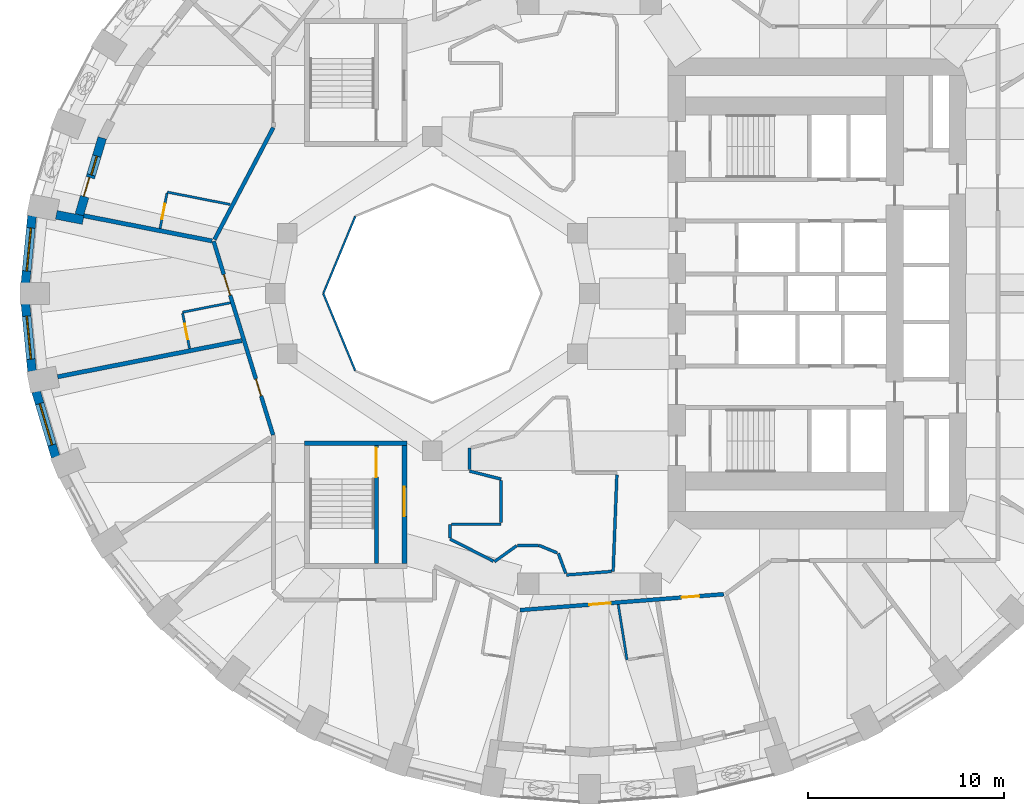
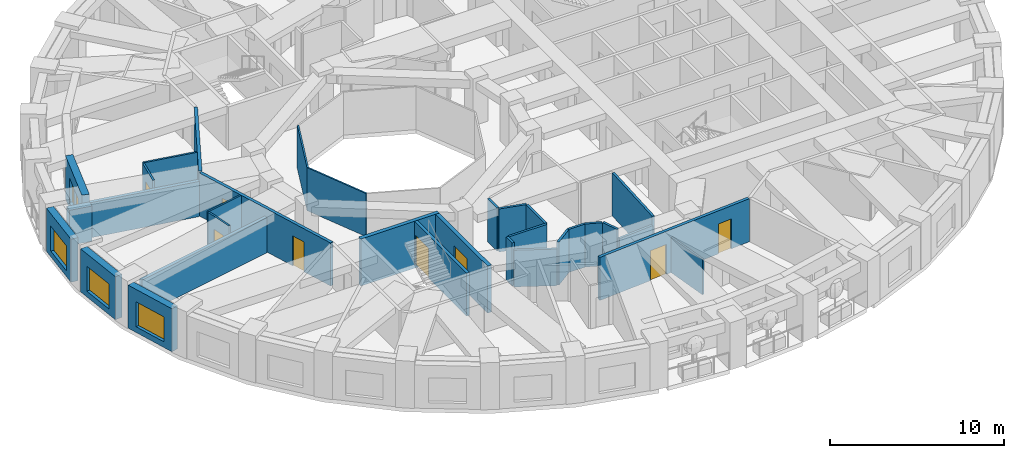
# One storey, part 4 of 13: 32 walls, 9 doors, 4 windows, 13 openings.
"""IFC4 building model written with IfcOpenShell, lengths in metres."""

from ifc_helpers import new_model, si_unit, direction, frame, frame_2d, origin, place, context, subcontext, project, spatial, rectangle, extrude, material, layer, layer_set, type_object, element, fill, save


model = new_model("IFC4")

# Units and contexts
model_context = context("Model", 3, precision=1e-05, world=origin(), true_north=direction((0.0, 1.0)))
body_context = subcontext(model_context, "Body", "Model", "MODEL_VIEW")
ifc_project = project(units=[si_unit("LENGTHUNIT", "METRE"), si_unit("AREAUNIT", "SQUARE_METRE"), si_unit("VOLUMEUNIT", "CUBIC_METRE"), si_unit("PLANEANGLEUNIT", "RADIAN"), si_unit("MASSUNIT", "GRAM", prefix="KILO")], contexts=[model_context])

# Site, building, storey
site_placement = place(None, origin())
site = spatial("IfcSite", under=ifc_project, at=site_placement, CompositionType="ELEMENT")
building_placement = place(site_placement, origin())
building = spatial("IfcBuilding", under=site, at=building_placement, Name="Taillehof Tower", CompositionType="ELEMENT")
storey_placement = place(building_placement, frame((0.0, 0.0, 31.60009765625)))
storey = spatial("IfcBuildingStorey", under=building, at=storey_placement, Name="L07", CompositionType="ELEMENT", Elevation=31.60009765625)

# Walls
ifc_material_1 = material(Name="Fire-resisting glass in steel frame", Category="steel")
ifc_layer_1 = layer(ifc_material_1, 0.10009765625)
ifc_layer_set_1 = layer_set([ifc_layer_1], Name="Atrium fire-resisting screen EI 60 100")
wall_type_1 = type_object("IfcWallType", Name="Atrium fire-resisting screen EI 60 100", PredefinedType="PARTITIONING", material=ifc_layer_set_1)
for number, where, z_axis, x_axis, name in (
    (1, (-11.92724609375, -3.92724609375, 0.0), (0.0, 0.0, 1.0), (-0.382730523909, 0.923860025149, 0.0), "Atrium screen"),
    (2, (-13.55419921875, 0.0, 0.0), (0.0, 0.0, 1.0), (0.382730523909, 0.923860025149, 0.0), "Atrium screen"),
):
    element("IfcWall", number, at=place(storey_placement, frame(where, z_axis=z_axis, x_axis=x_axis)), inside=storey, type_object=wall_type_1, Name=name, PredefinedType="PARTITIONING", context=body_context, shape_type="SweptSolid", body=[
        extrude(rectangle(XDim=4.2509765625, YDim=0.10009765625, at=frame_2d((2.12548828125, 0.0))), origin(), (0.0, 0.0, 1.0), 3.02001953125),
    ])

# Wall, opening, window
ifc_material_2 = material(Name="Brick masonry", Category="masonry")
ifc_layer_2 = layer(ifc_material_2, 0.449951171875)
ifc_layer_set_2 = layer_set([ifc_layer_2], Name="Brick infill wall 450")
wall_type_2 = type_object("IfcWallType", Name="Brick infill wall 450", PredefinedType="SOLIDWALL", material=ifc_layer_set_2)
wall_1_placement = place(storey_placement, frame((-28.38671875, 3.95556640625, 0.0), z_axis=(0.0, 0.0, 1.0), x_axis=(-0.097389581596, -0.995246336038, 0.0)))
wall_1 = element("IfcWall", 3, at=wall_1_placement, inside=storey, type_object=wall_type_2, Name="Brick wall L07 bay 18", PredefinedType="SOLIDWALL", context=body_context, shape_type="SweptSolid", body=[
    extrude(rectangle(XDim=3.44189453125, YDim=0.449951171875, at=frame_2d((1.720947265625, 0.0))), origin(), (0.0, 0.0, 1.0), 3.02001953125),
])
opening_1_placement = place(wall_1_placement, frame((0.62109375, 0.0, 0.39990234375)))
opening_1 = element("IfcOpeningElement", 4, at=opening_1_placement, cuts=wall_1, Name="Opening W1", PredefinedType="OPENING", context=body_context, shape_type="SweptSolid", body=[
    extrude(rectangle(XDim=2.199951171875, YDim=1.75, at=frame_2d((1.10009765625, 0.875))), frame((0.0, 0.23486328125, 0.0), z_axis=(0.0, -1.0, 0.0), x_axis=(1.0, 0.0, 0.0)), (0.0, 0.0, 1.0), 0.469970703125),
])
ifc_material_3 = material(Name="Aluminium window frame with clear double glazing", Category="aluminium")
window_type_1 = type_object("IfcWindowType", Name="Deep-set window 2200x1750", PartitioningType="SINGLE_PANEL", PredefinedType="WINDOW", material=ifc_material_3)
window_1_placement = place(opening_1_placement, origin())
window_1 = element("IfcWindow", 5, at=window_1_placement, inside=storey, type_object=window_type_1, Name="W1", OverallHeight=1.75, OverallWidth=2.199951171875, PartitioningType="SINGLE_PANEL", PredefinedType="WINDOW", context=body_context, shape_type="SweptSolid", body=[
    extrude(rectangle(XDim=2.199951171875, YDim=1.75, at=frame_2d((1.10009765625, 0.875))), frame((0.0, 0.034912109375, 0.0), z_axis=(0.0, -1.0, 0.0), x_axis=(1.0, 0.0, 0.0)), (0.0, 0.0, 1.0), 0.06005859375),
])
fill(opening_1, window_1)

wall_2_placement = place(storey_placement, frame((-28.721923828125, -0.530029296875, 0.0), z_axis=(0.0, 0.0, 1.0), x_axis=(0.097389581596, -0.995246336038, 0.0)))
wall_2 = element("IfcWall", 6, at=wall_2_placement, inside=storey, type_object=wall_type_2, Name="Brick wall L07 bay 19", PredefinedType="SOLIDWALL", context=body_context, shape_type="SweptSolid", body=[
    extrude(rectangle(XDim=3.44189453125, YDim=0.449951171875, at=frame_2d((1.720947265625, 0.0))), origin(), (0.0, 0.0, 1.0), 3.02001953125),
])
opening_2_placement = place(wall_2_placement, frame((0.62109375, 0.0, 0.39990234375)))
opening_2 = element("IfcOpeningElement", 7, at=opening_2_placement, cuts=wall_2, Name="Opening W1", PredefinedType="OPENING", context=body_context, shape_type="SweptSolid", body=[
    extrude(rectangle(XDim=2.199951171875, YDim=1.75, at=frame_2d((1.10009765625, 0.875))), frame((0.0, 0.23486328125, 0.0), z_axis=(0.0, -1.0, 0.0), x_axis=(1.0, 0.0, 0.0)), (0.0, 0.0, 1.0), 0.469970703125),
])
window_2_placement = place(opening_2_placement, origin())
window_2 = element("IfcWindow", 8, at=window_2_placement, inside=storey, type_object=window_type_1, Name="W1", OverallHeight=1.75, OverallWidth=2.199951171875, PartitioningType="SINGLE_PANEL", PredefinedType="WINDOW", context=body_context, shape_type="SweptSolid", body=[
    extrude(rectangle(XDim=2.199951171875, YDim=1.75, at=frame_2d((1.10009765625, 0.875))), frame((0.0, 0.034912109375, 0.0), z_axis=(0.0, -1.0, 0.0), x_axis=(1.0, 0.0, 0.0)), (0.0, 0.0, 1.0), 0.06005859375),
])
fill(opening_2, window_2)

wall_3_placement = place(storey_placement, frame((-28.181884765625, -4.995849609375, 0.0), z_axis=(0.0, 0.0, 1.0), x_axis=(0.287064133733, -0.957911364963, 0.0)))
wall_3 = element("IfcWall", 9, at=wall_3_placement, inside=storey, type_object=wall_type_2, Name="Brick wall L07 bay 20", PredefinedType="SOLIDWALL", context=body_context, shape_type="SweptSolid", body=[
    extrude(rectangle(XDim=3.473388671875, YDim=0.449951171875, at=frame_2d((1.73681640625, 0.0))), origin(), (0.0, 0.0, 1.0), 3.02001953125),
])
opening_3_placement = place(wall_3_placement, frame((0.63671875, 0.0, 0.39990234375)))
opening_3 = element("IfcOpeningElement", 10, at=opening_3_placement, cuts=wall_3, Name="Opening W1", PredefinedType="OPENING", context=body_context, shape_type="SweptSolid", body=[
    extrude(rectangle(XDim=2.199951171875, YDim=1.75, at=frame_2d((1.10009765625, 0.875))), frame((0.0, 0.23486328125, 0.0), z_axis=(0.0, -1.0, 0.0), x_axis=(1.0, 0.0, 0.0)), (0.0, 0.0, 1.0), 0.469970703125),
])
window_3_placement = place(opening_3_placement, origin())
window_3 = element("IfcWindow", 11, at=window_3_placement, inside=storey, type_object=window_type_1, Name="W1", OverallHeight=1.75, OverallWidth=2.199951171875, PartitioningType="SINGLE_PANEL", PredefinedType="WINDOW", context=body_context, shape_type="SweptSolid", body=[
    extrude(rectangle(XDim=2.199951171875, YDim=1.75, at=frame_2d((1.10009765625, 0.875))), frame((0.0, 0.034912109375, 0.0), z_axis=(0.0, -1.0, 0.0), x_axis=(1.0, 0.0, 0.0)), (0.0, 0.0, 1.0), 0.06005859375),
])
fill(opening_3, window_3)

# Wall
wall_4_placement = place(storey_placement, frame((-27.15087890625, 4.008544921875, 0.0), z_axis=(0.0, 0.0, 1.0), x_axis=(0.981197182729, -0.1930080014, 0.0)))
element("IfcWall", 12, at=wall_4_placement, inside=storey, type_object=wall_type_2, Name="Brick reveal L07 pocket 4", PredefinedType="SOLIDWALL", context=body_context, shape_type="SweptSolid", body=[
    extrude(rectangle(XDim=1.39013671875, YDim=0.449951171875, at=frame_2d((0.695068359375, 0.0))), origin(), (0.0, 0.0, 1.0), 2.469970703125),
])

# Wall, openings, door, window
wall_5_placement = place(storey_placement, frame((-24.811767578125, 7.92529296875, 0.0), z_axis=(0.0, 0.0, 1.0), x_axis=(-0.286389028326, -0.95811341941, 0.0)))
wall_5 = element("IfcWall", 13, at=wall_5_placement, inside=storey, type_object=wall_type_2, Name="Brick wall L07 pocket bay 17", PredefinedType="SOLIDWALL", context=body_context, shape_type="SweptSolid", body=[
    extrude(rectangle(XDim=4.08837890625, YDim=0.449951171875, at=frame_2d((2.044189453125, 0.0))), origin(), (0.0, 0.0, 1.0), 3.02001953125),
])
opening_4_placement = place(wall_5_placement, frame((0.96923828125, 0.0, 0.39990234375)))
opening_4 = element("IfcOpeningElement", 14, at=opening_4_placement, cuts=wall_5, Name="Opening W5", PredefinedType="OPENING", context=body_context, shape_type="SweptSolid", body=[
    extrude(rectangle(XDim=1.0, YDim=1.75, at=frame_2d((0.5, 0.875))), frame((0.0, 0.23486328125, 0.0), z_axis=(0.0, -1.0, 0.0), x_axis=(1.0, 0.0, 0.0)), (0.0, 0.0, 1.0), 0.469970703125),
])
opening_5_placement = place(wall_5_placement, frame((2.119140625, 0.0, 0.0)))
opening_5 = element("IfcOpeningElement", 15, at=opening_5_placement, cuts=wall_5, Name="Opening D0793", PredefinedType="OPENING", context=body_context, shape_type="SweptSolid", body=[
    extrude(rectangle(XDim=1.0, YDim=2.14990234375, at=frame_2d((0.5, 1.074951171875))), frame((0.0, 0.23486328125, 0.0), z_axis=(0.0, -1.0, 0.0), x_axis=(1.0, 0.0, 0.0)), (0.0, 0.0, 1.0), 0.469970703125),
])
ifc_material_4 = material(Name="Aluminium door frame with clear double glazing", Category="aluminium")
door_type_1 = type_object("IfcDoorType", Name="Balcony door 1000x2150", OperationType="SINGLE_SWING_RIGHT", PredefinedType="DOOR", material=ifc_material_4)
door_1_placement = place(opening_5_placement, frame((1.0, 0.0, 0.0), z_axis=(0.0, 0.0, 1.0), x_axis=(-1.0, 0.0, 0.0)))
door_1 = element("IfcDoor", 16, at=door_1_placement, inside=storey, type_object=door_type_1, Name="Balcony door L07 bay 17", OperationType="SINGLE_SWING_LEFT", OverallHeight=2.14990234375, OverallWidth=1.0, PredefinedType="DOOR", context=body_context, shape_type="SweptSolid", body=[
    extrude(rectangle(XDim=1.0, YDim=2.14990234375, at=frame_2d((0.5, 1.074951171875))), frame((0.0, 0.0751953125, 0.0), z_axis=(0.0, -1.0, 0.0), x_axis=(1.0, 0.0, 0.0)), (0.0, 0.0, 1.0), 0.050048828125),
])
fill(opening_5, door_1)
ifc_material_5 = material(Name="Aluminium window frame with clear double glazing", Category="aluminium")
window_type_2 = type_object("IfcWindowType", Name="Fixed window 1000x1750", PartitioningType="SINGLE_PANEL", PredefinedType="WINDOW", material=ifc_material_5)
window_4_placement = place(opening_4_placement, origin())
window_4 = element("IfcWindow", 17, at=window_4_placement, inside=storey, type_object=window_type_2, Name="W5", OverallHeight=1.75, OverallWidth=1.0, PartitioningType="SINGLE_PANEL", PredefinedType="WINDOW", context=body_context, shape_type="SweptSolid", body=[
    extrude(rectangle(XDim=1.0, YDim=1.75, at=frame_2d((0.5, 0.875))), frame((0.0, 0.034912109375, 0.0), z_axis=(0.0, -1.0, 0.0), x_axis=(1.0, 0.0, 0.0)), (0.0, 0.0, 1.0), 0.06005859375),
])
fill(opening_4, window_4)

# Wall, openings, doors
ifc_material_6 = material(Name="Gypsum board on steel studs, two layers each side", Category="steel")
ifc_layer_3 = layer(ifc_material_6, 0.199951171875)
ifc_layer_set_3 = layer_set([ifc_layer_3], Name="Compartment wall corridor 200")
wall_type_3 = type_object("IfcWallType", Name="Compartment wall corridor 200", PredefinedType="PARTITIONING", material=ifc_layer_set_3)
wall_6_placement = place(storey_placement, frame((6.84033203125, -15.31298828125, 0.0), z_axis=(0.0, 0.0, 1.0), x_axis=(-0.996968882229, -0.077801335898, 0.0)))
wall_6 = element("IfcWall", 18, at=wall_6_placement, inside=storey, type_object=wall_type_3, Name="Compartment wall", PredefinedType="PARTITIONING", context=body_context, shape_type="SweptSolid", body=[
    extrude(rectangle(XDim=10.40869140625, YDim=0.199951171875, at=frame_2d((5.204345703125, 0.0))), origin(), (0.0, 0.0, 1.0), 3.02001953125),
])
opening_6_placement = place(wall_6_placement, frame((5.7734375, 0.0, 0.0)))
opening_6 = element("IfcOpeningElement", 19, at=opening_6_placement, cuts=wall_6, Name="Opening D0757", PredefinedType="OPENING", context=body_context, shape_type="SweptSolid", body=[
    extrude(rectangle(XDim=1.10009765625, YDim=2.10009765625, at=frame_2d((0.550048828125, 1.050048828125))), frame((0.0, 0.10986328125, 0.0), z_axis=(0.0, -1.0, 0.0), x_axis=(1.0, 0.0, 0.0)), (0.0, 0.0, 1.0), 0.219970703125),
])
opening_7_placement = place(wall_6_placement, frame((1.255126953125, 0.0, 0.0)))
opening_7 = element("IfcOpeningElement", 20, at=opening_7_placement, cuts=wall_6, Name="Opening D0759", PredefinedType="OPENING", context=body_context, shape_type="SweptSolid", body=[
    extrude(rectangle(XDim=0.89990234375, YDim=2.10009765625, at=frame_2d((0.449951171875, 1.050048828125))), frame((0.0, 0.10986328125, 0.0), z_axis=(0.0, -1.0, 0.0), x_axis=(1.0, 0.0, 0.0)), (0.0, 0.0, 1.0), 0.219970703125),
])
ifc_material_7 = material(Name="Timber door leaf in steel frame", Category="steel")
door_type_2 = type_object("IfcDoorType", Name="Service room door EI 30 900 x 2100", OperationType="SINGLE_SWING_LEFT", PredefinedType="DOOR", material=ifc_material_7)
door_2_placement = place(opening_7_placement, origin())
door_2 = element("IfcDoor", 21, at=door_2_placement, inside=storey, type_object=door_type_2, Name="D0759", OperationType="SINGLE_SWING_RIGHT", OverallHeight=2.10009765625, OverallWidth=0.89990234375, PredefinedType="DOOR", context=body_context, shape_type="SweptSolid", body=[
    extrude(rectangle(XDim=0.89990234375, YDim=2.10009765625, at=frame_2d((0.449951171875, 1.050048828125))), frame((0.0, 0.02490234375, 0.0), z_axis=(0.0, -1.0, 0.0), x_axis=(1.0, 0.0, 0.0)), (0.0, 0.0, 1.0), 0.050048828125),
])
fill(opening_7, door_2)
ifc_material_8 = material(Name="Timber door leaf in steel frame", Category="steel")
door_type_3 = type_object("IfcDoorType", Name="Suite entrance door EI 30 1100 x 2100", OperationType="SINGLE_SWING_LEFT", PredefinedType="DOOR", material=ifc_material_8)
door_3_placement = place(opening_6_placement, origin())
door_3 = element("IfcDoor", 22, at=door_3_placement, inside=storey, type_object=door_type_3, Name="D0757", OperationType="SINGLE_SWING_LEFT", OverallHeight=2.10009765625, OverallWidth=1.10009765625, PredefinedType="DOOR", context=body_context, shape_type="SweptSolid", body=[
    extrude(rectangle(XDim=1.10009765625, YDim=2.10009765625, at=frame_2d((0.550048828125, 1.050048828125))), frame((0.0, 0.02490234375, 0.0), z_axis=(0.0, -1.0, 0.0), x_axis=(1.0, 0.0, 0.0)), (0.0, 0.0, 1.0), 0.050048828125),
])
fill(opening_6, door_3)

wall_7_placement = place(storey_placement, frame((-16.11181640625, -7.20263671875, 0.0), z_axis=(0.0, 0.0, 1.0), x_axis=(-0.293439067289, 0.95597777892, 0.0)))
wall_7 = element("IfcWall", 23, at=wall_7_placement, inside=storey, type_object=wall_type_3, Name="Compartment wall", PredefinedType="PARTITIONING", context=body_context, shape_type="SweptSolid", body=[
    extrude(rectangle(XDim=10.3193359375, YDim=0.199951171875, at=frame_2d((5.15966796875, 0.0))), origin(), (0.0, 0.0, 1.0), 3.02001953125),
])
opening_8_placement = place(wall_7_placement, frame((7.4443359375, 0.0, 0.0)))
opening_8 = element("IfcOpeningElement", 24, at=opening_8_placement, cuts=wall_7, Name="Opening D0750", PredefinedType="OPENING", context=body_context, shape_type="SweptSolid", body=[
    extrude(rectangle(XDim=1.10009765625, YDim=2.10009765625, at=frame_2d((0.550048828125, 1.050048828125))), frame((0.0, 0.10986328125, 0.0), z_axis=(0.0, -1.0, 0.0), x_axis=(1.0, 0.0, 0.0)), (0.0, 0.0, 1.0), 0.219970703125),
])
opening_9_placement = place(wall_7_placement, frame((2.080810546875, 0.0, 0.0)))
opening_9 = element("IfcOpeningElement", 25, at=opening_9_placement, cuts=wall_7, Name="Opening D0752", PredefinedType="OPENING", context=body_context, shape_type="SweptSolid", body=[
    extrude(rectangle(XDim=0.89990234375, YDim=2.10009765625, at=frame_2d((0.449951171875, 1.050048828125))), frame((0.0, 0.10986328125, 0.0), z_axis=(0.0, -1.0, 0.0), x_axis=(1.0, 0.0, 0.0)), (0.0, 0.0, 1.0), 0.219970703125),
])
door_4_placement = place(opening_9_placement, origin())
door_4 = element("IfcDoor", 26, at=door_4_placement, inside=storey, type_object=door_type_2, Name="D0752", OperationType="SINGLE_SWING_LEFT", OverallHeight=2.10009765625, OverallWidth=0.89990234375, PredefinedType="DOOR", context=body_context, shape_type="SweptSolid", body=[
    extrude(rectangle(XDim=0.89990234375, YDim=2.10009765625, at=frame_2d((0.449951171875, 1.050048828125))), frame((0.0, 0.02490234375, 0.0), z_axis=(0.0, -1.0, 0.0), x_axis=(1.0, 0.0, 0.0)), (0.0, 0.0, 1.0), 0.050048828125),
])
fill(opening_9, door_4)
door_5_placement = place(opening_8_placement, origin())
door_5 = element("IfcDoor", 27, at=door_5_placement, inside=storey, type_object=door_type_3, Name="D0750", OperationType="SINGLE_SWING_LEFT", OverallHeight=2.10009765625, OverallWidth=1.10009765625, PredefinedType="DOOR", context=body_context, shape_type="SweptSolid", body=[
    extrude(rectangle(XDim=1.10009765625, YDim=2.10009765625, at=frame_2d((0.550048828125, 1.050048828125))), frame((0.0, 0.02490234375, 0.0), z_axis=(0.0, -1.0, 0.0), x_axis=(1.0, 0.0, 0.0)), (0.0, 0.0, 1.0), 0.050048828125),
])
fill(opening_8, door_5)

# Walls
wall_8_placement = place(storey_placement, frame((-19.093505859375, 2.75146484375, 0.0), z_axis=(0.0, 0.0, 1.0), x_axis=(0.464994434802, 0.88531360297, 0.0)))
element("IfcWall", 28, at=wall_8_placement, inside=storey, type_object=wall_type_3, Name="Compartment wall", PredefinedType="PARTITIONING", context=body_context, shape_type="SweptSolid", body=[
    extrude(rectangle(XDim=6.4375, YDim=0.199951171875, at=frame_2d((3.21875, 0.0))), origin(), (0.0, 0.0, 1.0), 3.02001953125),
])
ifc_material_9 = material(Name="Gypsum board on double steel studs with mineral wool", Category="steel")
ifc_layer_4 = layer(ifc_material_9, 0.219970703125)
ifc_layer_set_4 = layer_set([ifc_layer_4], Name="Compartment wall guest room 220")
wall_type_4 = type_object("IfcWallType", Name="Compartment wall guest room 220", PredefinedType="PARTITIONING", material=ifc_layer_set_4)
wall_9_placement = place(storey_placement, frame((-25.760986328125, 3.96435546875, 0.0), z_axis=(0.0, 0.0, 1.0), x_axis=(0.981216162043, -0.192911490963, 0.0)))
element("IfcWall", 29, at=wall_9_placement, inside=storey, type_object=wall_type_4, Name="Compartment wall", PredefinedType="PARTITIONING", context=body_context, shape_type="SweptSolid", body=[
    extrude(rectangle(XDim=6.668212890625, YDim=0.219970703125, at=frame_2d((3.333984375, 0.0))), origin(), (0.0, 0.0, 1.0), 2.469970703125),
])
wall_10_placement = place(storey_placement, frame((-27.0849609375, -4.239990234375, 0.0), z_axis=(0.0, 0.0, 1.0), x_axis=(0.981199931552, 0.192994026651, 0.0)))
element("IfcWall", 30, at=wall_10_placement, inside=storey, type_object=wall_type_4, Name="Compartment wall", PredefinedType="PARTITIONING", context=body_context, shape_type="SweptSolid", body=[
    extrude(rectangle(XDim=9.55224609375, YDim=0.219970703125, at=frame_2d((4.776123046875, 0.0))), origin(), (0.0, 0.0, 1.0), 2.469970703125),
])
ifc_material_10 = material(Name="Gypsum board on steel studs, two layers each side", Category="steel")
ifc_layer_5 = layer(ifc_material_10, 0.14990234375)
ifc_layer_set_5 = layer_set([ifc_layer_5], Name="Compartment wall service room 150")
wall_type_5 = type_object("IfcWallType", Name="Compartment wall service room 150", PredefinedType="PARTITIONING", material=ifc_layer_set_5)
wall_11_placement = place(storey_placement, frame((-4.5, -9.449951171875, 0.0), z_axis=(0.0, 0.0, 1.0), x_axis=(-0.9698567074, 0.24367594693, 0.0)))
element("IfcWall", 31, at=wall_11_placement, inside=storey, type_object=wall_type_5, Name="Compartment wall", PredefinedType="PARTITIONING", context=body_context, shape_type="SweptSolid", body=[
    extrude(rectangle(XDim=1.662109375, YDim=0.14990234375, at=frame_2d((0.8310546875, 0.0))), origin(), (0.0, 0.0, 1.0), 3.02001953125),
])
wall_12_placement = place(storey_placement, frame((-6.111083984375, -8.96484375, 0.0), z_axis=(0.0, 0.0, 1.0), x_axis=(0.010095962879, 0.999949034468, 0.0)))
element("IfcWall", 32, at=wall_12_placement, inside=storey, type_object=wall_type_5, Name="Compartment wall", PredefinedType="PARTITIONING", context=body_context, shape_type="SweptSolid", body=[
    extrude(rectangle(XDim=1.088134765625, YDim=0.14990234375, at=frame_2d((0.5439453125, 0.0))), origin(), (0.0, 0.0, 1.0), 3.02001953125),
])
wall_13_placement = place(storey_placement, frame((1.39697265625, -9.22998046875, 0.0), z_axis=(0.0, 0.0, 1.0), x_axis=(-0.038741742932, -0.99924925687, 0.0)))
element("IfcWall", 33, at=wall_13_placement, inside=storey, type_object=wall_type_5, Name="Compartment wall", PredefinedType="PARTITIONING", context=body_context, shape_type="SweptSolid", body=[
    extrude(rectangle(XDim=4.921630859375, YDim=0.14990234375, at=frame_2d((2.4609375, 0.0))), origin(), (0.0, 0.0, 1.0), 3.02001953125),
])
wall_14_placement = place(storey_placement, frame((1.126220703125, -14.15380859375, 0.0), z_axis=(0.0, 0.0, 1.0), x_axis=(-0.996959190057, -0.077925434624, 0.0)))
element("IfcWall", 34, at=wall_14_placement, inside=storey, type_object=wall_type_5, Name="Compartment wall", PredefinedType="PARTITIONING", context=body_context, shape_type="SweptSolid", body=[
    extrude(rectangle(XDim=2.30908203125, YDim=0.14990234375, at=frame_2d((1.154541015625, 0.0))), origin(), (0.0, 0.0, 1.0), 2.419921875),
])
wall_15_placement = place(storey_placement, frame((-1.2041015625, -14.258544921875, 0.0), z_axis=(0.0, 0.0, 1.0), x_axis=(-0.348483202919, 0.937315025636, 0.0)))
element("IfcWall", 35, at=wall_15_placement, inside=storey, type_object=wall_type_5, Name="Compartment wall", PredefinedType="PARTITIONING", context=body_context, shape_type="SweptSolid", body=[
    extrude(rectangle(XDim=1.094970703125, YDim=0.14990234375, at=frame_2d((0.54736328125, 0.0))), origin(), (0.0, 0.0, 1.0), 3.02001953125),
])
wall_16_placement = place(storey_placement, frame((-1.641357421875, -13.20947265625, 0.0), z_axis=(0.0, 0.0, 1.0), x_axis=(-0.923725449546, 0.383055209937, 0.0)))
element("IfcWall", 36, at=wall_16_placement, inside=storey, type_object=wall_type_5, Name="Compartment wall", PredefinedType="PARTITIONING", context=body_context, shape_type="SweptSolid", body=[
    extrude(rectangle(XDim=1.011474609375, YDim=0.14990234375, at=frame_2d((0.505859375, 0.0))), origin(), (0.0, 0.0, 1.0), 3.02001953125),
])
wall_17_placement = place(storey_placement, frame((-2.595703125, -12.822021484375, 0.0), z_axis=(0.0, 0.0, 1.0), x_axis=(-1.0, 0.0, 0.0)))
element("IfcWall", 37, at=wall_17_placement, inside=storey, type_object=wall_type_5, Name="Compartment wall", PredefinedType="PARTITIONING", context=body_context, shape_type="SweptSolid", body=[
    extrude(rectangle(XDim=1.080078125, YDim=0.14990234375, at=frame_2d((0.5400390625, 0.0))), origin(), (0.0, 0.0, 1.0), 3.02001953125),
])
wall_18_placement = place(storey_placement, frame((-3.70849609375, -12.845458984375, 0.0), z_axis=(0.0, 0.0, 1.0), x_axis=(-0.812857190658, -0.58246303539, 0.0)))
element("IfcWall", 38, at=wall_18_placement, inside=storey, type_object=wall_type_5, Name="Compartment wall", PredefinedType="PARTITIONING", context=body_context, shape_type="SweptSolid", body=[
    extrude(rectangle(XDim=1.39453125, YDim=0.14990234375, at=frame_2d((0.697265625, 0.0))), origin(), (0.0, 0.0, 1.0), 3.02001953125),
])
wall_19_placement = place(storey_placement, frame((-4.8955078125, -13.630615234375, 0.0), z_axis=(0.0, 0.0, 1.0), x_axis=(-0.890208185307, 0.455553934032, 0.0)))
element("IfcWall", 39, at=wall_19_placement, inside=storey, type_object=wall_type_5, Name="Compartment wall", PredefinedType="PARTITIONING", context=body_context, shape_type="SweptSolid", body=[
    extrude(rectangle(XDim=2.4765625, YDim=0.14990234375, at=frame_2d((1.23828125, 0.0))), origin(), (0.0, 0.0, 1.0), 2.56982421875),
])
wall_20_placement = place(storey_placement, frame((-7.10009765625, -12.4423828125, 0.0), z_axis=(0.0, 0.0, 1.0), x_axis=(0.0, 1.0, 0.0)))
element("IfcWall", 40, at=wall_20_placement, inside=storey, type_object=wall_type_5, Name="Compartment wall", PredefinedType="PARTITIONING", context=body_context, shape_type="SweptSolid", body=[
    extrude(rectangle(XDim=0.6923828125, YDim=0.14990234375, at=frame_2d((0.34619140625, 0.0))), origin(), (0.0, 0.0, 1.0), 3.02001953125),
])
wall_21_placement = place(storey_placement, frame((-7.02001953125, -11.75, 0.0), z_axis=(0.0, 0.0, 1.0), x_axis=(1.0, 0.0, 0.0)))
element("IfcWall", 41, at=wall_21_placement, inside=storey, type_object=wall_type_5, Name="Compartment wall", PredefinedType="PARTITIONING", context=body_context, shape_type="SweptSolid", body=[
    extrude(rectangle(XDim=2.52001953125, YDim=0.14990234375, at=frame_2d((1.260009765625, 0.0))), origin(), (0.0, 0.0, 1.0), 3.02001953125),
])
wall_22_placement = place(storey_placement, frame((-4.5, -11.669921875, 0.0), z_axis=(0.0, 0.0, 1.0), x_axis=(0.0, 1.0, 0.0)))
element("IfcWall", 42, at=wall_22_placement, inside=storey, type_object=wall_type_5, Name="Compartment wall", PredefinedType="PARTITIONING", context=body_context, shape_type="SweptSolid", body=[
    extrude(rectangle(XDim=2.139892578125, YDim=0.14990234375, at=frame_2d((1.06982421875, 0.0))), origin(), (0.0, 0.0, 1.0), 3.02001953125),
])
ifc_material_11 = material(Name="Gypsum board on steel studs, moisture resistant", Category="steel")
ifc_layer_6 = layer(ifc_material_11, 0.1201171875)
ifc_layer_set_6 = layer_set([ifc_layer_6], Name="En-suite wall 120")
wall_type_6 = type_object("IfcWallType", Name="En-suite wall 120", PredefinedType="PARTITIONING", material=ifc_layer_set_6)
wall_23_placement = place(storey_placement, frame((-18.29150390625, 4.53369140625, 0.0), z_axis=(0.0, 0.0, 1.0), x_axis=(-0.981198627208, 0.193000657942, 0.0)))
element("IfcWall", 43, at=wall_23_placement, inside=storey, type_object=wall_type_6, Name="En-suite wall", PredefinedType="PARTITIONING", context=body_context, shape_type="SweptSolid", body=[
    extrude(rectangle(XDim=3.271240234375, YDim=0.1201171875, at=frame_2d((1.6357421875, 0.0))), origin(), (0.0, 0.0, 1.0), 3.02001953125),
])
wall_24_placement = place(storey_placement, frame((-18.282958984375, -0.470458984375, 0.0), z_axis=(0.0, 0.0, 1.0), x_axis=(-0.981208753495, -0.192949169643, 0.0)))
element("IfcWall", 44, at=wall_24_placement, inside=storey, type_object=wall_type_6, Name="En-suite wall", PredefinedType="PARTITIONING", context=body_context, shape_type="SweptSolid", body=[
    extrude(rectangle(XDim=2.491455078125, YDim=0.1201171875, at=frame_2d((1.24560546875, 0.0))), origin(), (0.0, 0.0, 1.0), 3.02001953125),
])
wall_25_placement = place(storey_placement, frame((1.466064453125, -15.8330078125, 0.0), z_axis=(0.0, 0.0, 1.0), x_axis=(0.156164367571, -0.987731081976, 0.0)))
element("IfcWall", 45, at=wall_25_placement, inside=storey, type_object=wall_type_6, Name="En-suite wall", PredefinedType="PARTITIONING", context=body_context, shape_type="SweptSolid", body=[
    extrude(rectangle(XDim=2.85791015625, YDim=0.1201171875, at=frame_2d((1.428955078125, 0.0))), origin(), (0.0, 0.0, 1.0), 2.469970703125),
])

# Wall, opening, door
wall_26_placement = place(storey_placement, frame((-21.512939453125, 5.1064453125, 0.0), z_axis=(0.0, 0.0, 1.0), x_axis=(-0.19288291118, -0.981221780524, 0.0)))
wall_26 = element("IfcWall", 46, at=wall_26_placement, inside=storey, type_object=wall_type_6, Name="En-suite wall", PredefinedType="PARTITIONING", context=body_context, shape_type="SweptSolid", body=[
    extrude(rectangle(XDim=1.830322265625, YDim=0.1201171875, at=frame_2d((0.9150390625, 0.0))), origin(), (0.0, 0.0, 1.0), 3.02001953125),
])
opening_10_placement = place(wall_26_placement, frame((0.540283203125, 0.0, 0.0)))
opening_10 = element("IfcOpeningElement", 47, at=opening_10_placement, cuts=wall_26, Name="Opening D0749", PredefinedType="OPENING", context=body_context, shape_type="SweptSolid", body=[
    extrude(rectangle(XDim=0.800048828125, YDim=2.10009765625, at=frame_2d((0.39990234375, 1.050048828125))), frame((0.0, 0.070068359375, 0.0), z_axis=(0.0, -1.0, 0.0), x_axis=(1.0, 0.0, 0.0)), (0.0, 0.0, 1.0), 0.14013671875),
])
ifc_material_12 = material(Name="Timber door leaf in steel frame", Category="steel")
door_type_4 = type_object("IfcDoorType", Name="En-suite door 800 x 2100", OperationType="SINGLE_SWING_LEFT", PredefinedType="DOOR", material=ifc_material_12)
door_6_placement = place(opening_10_placement, origin())
door_6 = element("IfcDoor", 48, at=door_6_placement, inside=storey, type_object=door_type_4, Name="D0749", OperationType="SINGLE_SWING_LEFT", OverallHeight=2.10009765625, OverallWidth=0.800048828125, PredefinedType="DOOR", context=body_context, shape_type="SweptSolid", body=[
    extrude(rectangle(XDim=0.800048828125, YDim=2.10009765625, at=frame_2d((0.39990234375, 1.050048828125))), frame((0.0, 0.02490234375, 0.0), z_axis=(0.0, -1.0, 0.0), x_axis=(1.0, 0.0, 0.0)), (0.0, 0.0, 1.0), 0.050048828125),
])
fill(opening_10, door_6)

wall_27_placement = place(storey_placement, frame((-20.716064453125, -1.010009765625, 0.0), z_axis=(0.0, 0.0, 1.0), x_axis=(0.193036598643, -0.981191557029, 0.0)))
wall_27 = element("IfcWall", 49, at=wall_27_placement, inside=storey, type_object=wall_type_6, Name="En-suite wall", PredefinedType="PARTITIONING", context=body_context, shape_type="SweptSolid", body=[
    extrude(rectangle(XDim=1.830078125, YDim=0.1201171875, at=frame_2d((0.9150390625, 0.0))), origin(), (0.0, 0.0, 1.0), 3.02001953125),
])
opening_11_placement = place(wall_27_placement, frame((0.5400390625, 0.0, 0.0)))
opening_11 = element("IfcOpeningElement", 50, at=opening_11_placement, cuts=wall_27, Name="Opening D0751", PredefinedType="OPENING", context=body_context, shape_type="SweptSolid", body=[
    extrude(rectangle(XDim=0.800048828125, YDim=2.10009765625, at=frame_2d((0.39990234375, 1.050048828125))), frame((0.0, 0.070068359375, 0.0), z_axis=(0.0, -1.0, 0.0), x_axis=(1.0, 0.0, 0.0)), (0.0, 0.0, 1.0), 0.14013671875),
])
door_7_placement = place(opening_11_placement, origin())
door_7 = element("IfcDoor", 51, at=door_7_placement, inside=storey, type_object=door_type_4, Name="D0751", OperationType="SINGLE_SWING_LEFT", OverallHeight=2.10009765625, OverallWidth=0.800048828125, PredefinedType="DOOR", context=body_context, shape_type="SweptSolid", body=[
    extrude(rectangle(XDim=0.800048828125, YDim=2.10009765625, at=frame_2d((0.39990234375, 1.050048828125))), frame((0.0, 0.02490234375, 0.0), z_axis=(0.0, -1.0, 0.0), x_axis=(1.0, 0.0, 0.0)), (0.0, 0.0, 1.0), 0.050048828125),
])
fill(opening_11, door_7)

ifc_material_13 = material(Name="Concrete C50/60", Category="concrete")
ifc_layer_7 = layer(ifc_material_13, 0.199951171875)
ifc_layer_set_7 = layer_set([ifc_layer_7], Name="Shaft wall C50/60 200")
wall_type_7 = type_object("IfcWallType", Name="Shaft wall C50/60 200", PredefinedType="SHEAR", material=ifc_layer_set_7)
wall_28_placement = place(storey_placement, frame((-10.85009765625, -13.75, 0.0), z_axis=(0.0, 0.0, 1.0), x_axis=(0.0, 1.0, 0.0)))
wall_28 = element("IfcWall", 52, at=wall_28_placement, inside=storey, type_object=wall_type_7, Name="Shaft wall SW", PredefinedType="SHEAR", context=body_context, shape_type="SweptSolid", body=[
    extrude(rectangle(XDim=6.0, YDim=0.199951171875, at=frame_2d((3.0, 0.0))), origin(), (0.0, 0.0, 1.0), 3.02001953125),
])
opening_12_placement = place(wall_28_placement, frame((4.39990234375, 0.0, 0.0)))
opening_12 = element("IfcOpeningElement", 53, at=opening_12_placement, cuts=wall_28, Name="Opening D0713", PredefinedType="OPENING", context=body_context, shape_type="SweptSolid", body=[
    extrude(rectangle(XDim=1.5, YDim=2.10009765625, at=frame_2d((0.75, 1.050048828125))), frame((0.0, 0.10986328125, 0.0), z_axis=(0.0, -1.0, 0.0), x_axis=(1.0, 0.0, 0.0)), (0.0, 0.0, 1.0), 0.219970703125),
])
ifc_material_14 = material(Name="Steel-faced fire door", Category="steel")
door_type_5 = type_object("IfcDoorType", Name="Stair door 1500x2100", OperationType="DOUBLE_DOOR_SINGLE_SWING", PredefinedType="DOOR", material=ifc_material_14)
door_8_placement = place(opening_12_placement, origin())
door_8 = element("IfcDoor", 54, at=door_8_placement, inside=storey, type_object=door_type_5, Name="Stair lobby door S4", OperationType="DOUBLE_DOOR_SINGLE_SWING", OverallHeight=2.10009765625, OverallWidth=1.5, PredefinedType="DOOR", context=body_context, shape_type="SweptSolid", body=[
    extrude(rectangle(XDim=1.5, YDim=2.10009765625, at=frame_2d((0.75, 1.050048828125))), frame((0.0, 0.02490234375, 0.0), z_axis=(0.0, -1.0, 0.0), x_axis=(1.0, 0.0, 0.0)), (0.0, 0.0, 1.0), 0.050048828125),
])
fill(opening_12, door_8)

ifc_material_15 = material(Name="Concrete C50/60", Category="concrete")
ifc_layer_8 = layer(ifc_material_15, 0.25)
ifc_layer_set_8 = layer_set([ifc_layer_8], Name="Stair wall C50/60 250")
wall_type_8 = type_object("IfcWallType", Name="Stair wall C50/60 250", PredefinedType="SHEAR", material=ifc_layer_set_8)
wall_29_placement = place(storey_placement, frame((-9.425048828125, -13.75, -0.280029296875), z_axis=(0.0, 0.0, 1.0), x_axis=(0.0, 1.0, 0.0)))
wall_29 = element("IfcWall", 55, at=wall_29_placement, inside=storey, type_object=wall_type_8, Name="Stair wall SC", PredefinedType="SHEAR", context=body_context, shape_type="SweptSolid", body=[
    extrude(rectangle(XDim=6.0, YDim=0.25, at=frame_2d((3.0, 0.0))), origin(), (0.0, 0.0, 1.0), 3.300048828125),
])
opening_13_placement = place(wall_29_placement, frame((2.39990234375, 0.0, 0.280029296875)))
opening_13 = element("IfcOpeningElement", 56, at=opening_13_placement, cuts=wall_29, Name="Opening D0720", PredefinedType="OPENING", context=body_context, shape_type="SweptSolid", body=[
    extrude(rectangle(XDim=1.5, YDim=2.10009765625, at=frame_2d((0.75, 1.050048828125))), frame((0.0, 0.135009765625, 0.0), z_axis=(0.0, -1.0, 0.0), x_axis=(1.0, 0.0, 0.0)), (0.0, 0.0, 1.0), 0.27001953125),
])
door_9_placement = place(opening_13_placement, origin())
door_9 = element("IfcDoor", 57, at=door_9_placement, inside=storey, type_object=door_type_5, Name="Stair door S4", OperationType="DOUBLE_DOOR_SINGLE_SWING", OverallHeight=2.10009765625, OverallWidth=1.5, PredefinedType="DOOR", context=body_context, shape_type="SweptSolid", body=[
    extrude(rectangle(XDim=1.5, YDim=2.10009765625, at=frame_2d((0.75, 1.050048828125))), frame((0.0, 0.02490234375, 0.0), z_axis=(0.0, -1.0, 0.0), x_axis=(1.0, 0.0, 0.0)), (0.0, 0.0, 1.0), 0.050048828125),
])
fill(opening_13, door_9)

# Wall
wall_30_placement = place(storey_placement, frame((-14.5, -7.625, -0.280029296875), z_axis=(0.0, 0.0, 1.0), x_axis=(1.0, 0.0, 0.0)))
element("IfcWall", 58, at=wall_30_placement, inside=storey, type_object=wall_type_8, Name="Stair wall SC", PredefinedType="SHEAR", context=body_context, shape_type="SweptSolid", body=[
    extrude(rectangle(XDim=5.199951171875, YDim=0.25, at=frame_2d((2.60009765625, 0.0))), origin(), (0.0, 0.0, 1.0), 3.300048828125),
])

save(model, "model.ifc")
